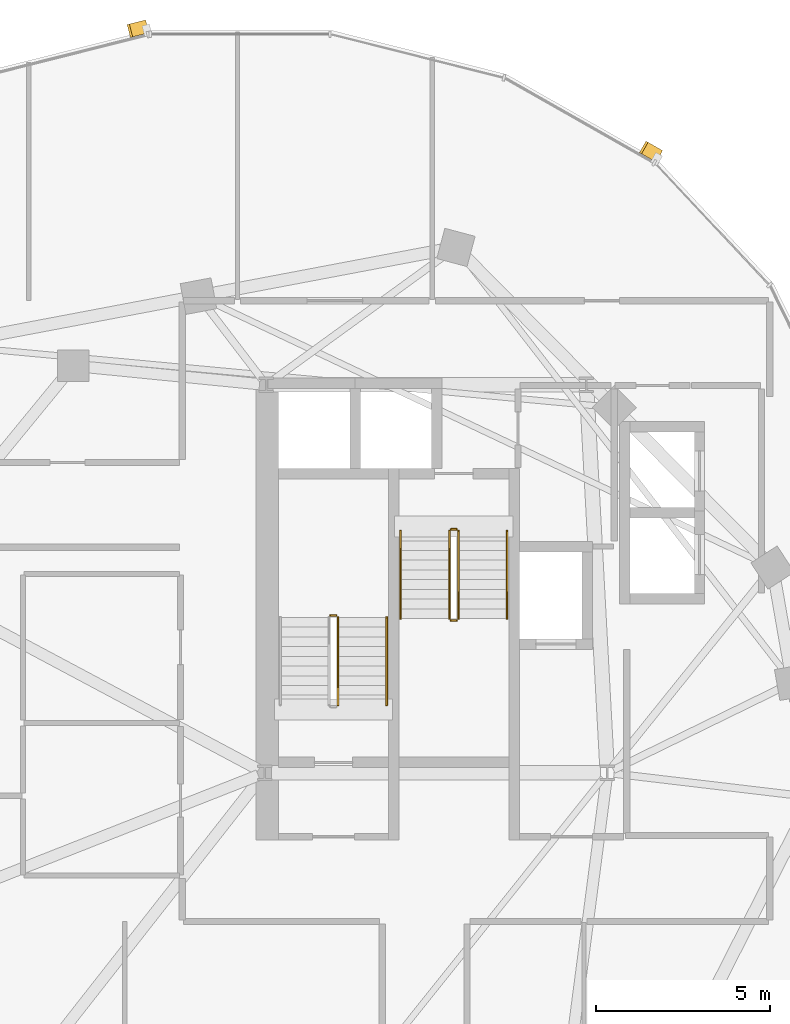
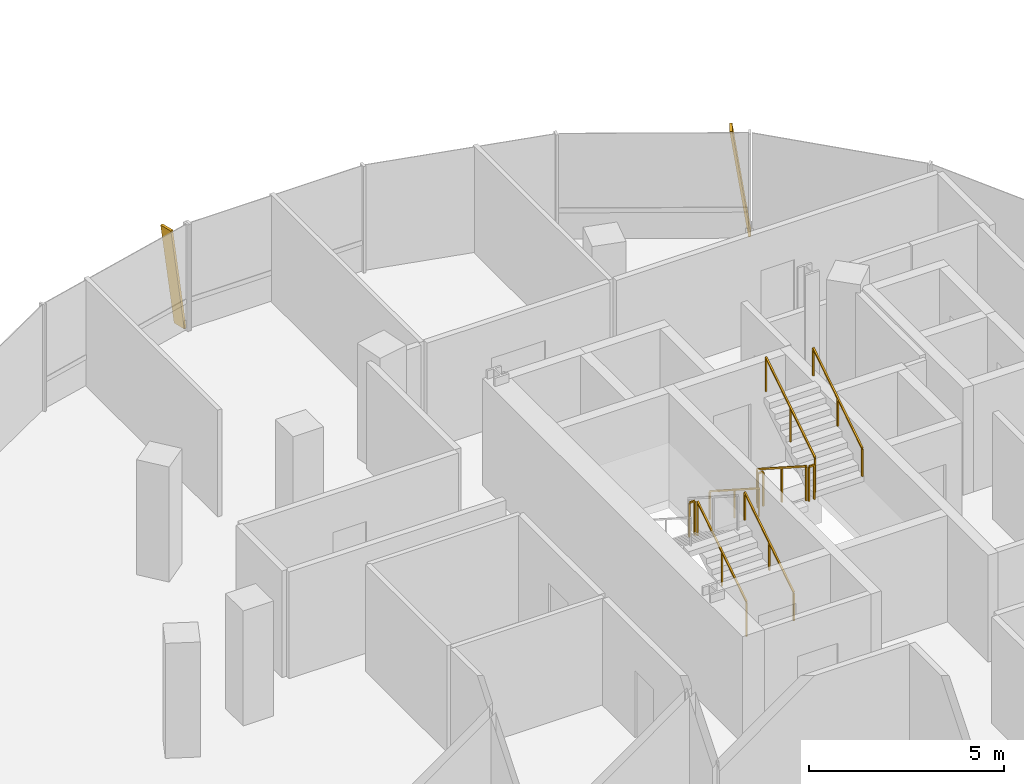
# One storey, part 23 of 25: 9 railings, 2 shading devices.
"""IFC4 building model written with IfcOpenShell, lengths in metres."""

from ifc_helpers import new_model, si_unit, direction, frame, origin, origin_2d, place, context, subcontext, project, spatial, rectangle, extrude, material, material_profile, profile_set, type_object, element, save


model = new_model("IFC4")

# Units and contexts
model_context = context("Model", 3, precision=1e-05, world=origin(), true_north=direction((0.0, 1.0)))
body_context = subcontext(model_context, "Body", "Model", "MODEL_VIEW")
ifc_project = project(units=[si_unit("LENGTHUNIT", "METRE"), si_unit("AREAUNIT", "SQUARE_METRE"), si_unit("VOLUMEUNIT", "CUBIC_METRE"), si_unit("PLANEANGLEUNIT", "RADIAN"), si_unit("MASSUNIT", "GRAM", prefix="KILO"), si_unit("THERMODYNAMICTEMPERATUREUNIT", "KELVIN"), si_unit("POWERUNIT", "WATT")], contexts=[model_context])

# Site, building, storey
site_placement = place(None, origin())
site = spatial("IfcSite", under=ifc_project, at=site_placement, CompositionType="ELEMENT")
building_placement = place(site_placement, origin())
building = spatial("IfcBuilding", under=site, at=building_placement, Name="Cundina Bronze Exchange", CompositionType="ELEMENT")
storey_placement = place(building_placement, frame((0.0, 0.0, 195.39990234375)))
storey = spatial("IfcBuildingStorey", under=building, at=storey_placement, Name="L51", CompositionType="ELEMENT", Elevation=195.39990234375)

# Railings
ifc_material_1 = material(Name="Steel ASTM A36 Painted", Category="steel")
railing_type_1 = type_object("IfcRailingType", Name="RLG-HND-900", PredefinedType="HANDRAIL", material=ifc_material_1)
railing_1_placement = place(storey_placement, frame((-27.7900390625, 5.85009765625, 0.18017578125)))
element("IfcRailing", 1, at=railing_1_placement, inside=storey, type_object=railing_type_1, Name="L51 ST-W1 stair handrail 1", PredefinedType="HANDRAIL", context=body_context, shape_type="SweptSolid", body=[
    extrude(rectangle(XDim=0.048095703125, YDim=0.048095703125, at=origin_2d()), frame((0.0, 0.0, 0.8759765625), z_axis=(0.0, 0.841199657755, 0.540724639528), x_axis=(-1.0, 0.0, 0.0)), (0.0, 0.0, 1.0), 2.995849609375),
    extrude(rectangle(XDim=0.0419921875, YDim=0.0419921875, at=origin_2d()), origin(), (0.0, 0.0, 1.0), 0.851806640625),
    extrude(rectangle(XDim=0.0419921875, YDim=0.0419921875, at=origin_2d()), frame((0.0, 1.260009765625, 0.81005859375)), (0.0, 0.0, 1.0), 0.851806640625),
    extrude(rectangle(XDim=0.0419921875, YDim=0.0419921875, at=origin_2d()), frame((0.0, 2.52001953125, 1.619873046875)), (0.0, 0.0, 1.0), 0.851806640625),
])
railing_2_placement = place(storey_placement, frame((-27.389892578125, 10.85009765625, 0.18017578125)))
element("IfcRailing", 2, at=railing_2_placement, inside=storey, type_object=railing_type_1, Name="L51 ST-W2 stair handrail 1", PredefinedType="HANDRAIL", context=body_context, shape_type="SweptSolid", body=[
    extrude(rectangle(XDim=0.048095703125, YDim=0.048095703125, at=origin_2d()), frame((0.0, 0.0, 0.8759765625), z_axis=(0.0, -0.841199657755, 0.540724639528), x_axis=(1.0, 0.0, 0.0)), (0.0, 0.0, 1.0), 2.995849609375),
    extrude(rectangle(XDim=0.0419921875, YDim=0.0419921875, at=origin_2d()), origin(), (0.0, 0.0, 1.0), 0.851806640625),
    extrude(rectangle(XDim=0.0419921875, YDim=0.0419921875, at=origin_2d()), frame((0.0, -1.260009765625, 0.81005859375)), (0.0, 0.0, 1.0), 0.851806640625),
    extrude(rectangle(XDim=0.0419921875, YDim=0.0419921875, at=origin_2d()), frame((0.0, -2.52001953125, 1.619873046875)), (0.0, 0.0, 1.0), 0.851806640625),
])
railing_3_placement = place(storey_placement, frame((-24.330078125, 8.330078125, 1.97998046875)))
element("IfcRailing", 3, at=railing_3_placement, inside=storey, type_object=railing_type_1, Name="L51 ST-W2 stair handrail 2", PredefinedType="HANDRAIL", context=body_context, shape_type="SweptSolid", body=[
    extrude(rectangle(XDim=0.048095703125, YDim=0.048095703125, at=origin_2d()), frame((0.0, 0.0, 0.8759765625), z_axis=(0.0, 0.841162588446, 0.540782303519), x_axis=(-1.0, 0.0, 0.0)), (0.0, 0.0, 1.0), 2.995849609375),
    extrude(rectangle(XDim=0.0419921875, YDim=0.0419921875, at=origin_2d()), origin(), (0.0, 0.0, 1.0), 0.851806640625),
    extrude(rectangle(XDim=0.0419921875, YDim=0.0419921875, at=origin_2d()), frame((0.0, 1.260009765625, 0.81005859375)), (0.0, 0.0, 1.0), 0.851806640625),
    extrude(rectangle(XDim=0.0419921875, YDim=0.0419921875, at=origin_2d()), frame((0.0, 2.52001953125, 1.6201171875)), (0.0, 0.0, 1.0), 0.851806640625),
])
railing_type_2 = type_object("IfcRailingType", Name="RLG-STG-1100", PredefinedType="GUARDRAIL", material=ifc_material_1)
railing_4_placement = place(storey_placement, frame((-29.18994140625, 5.85009765625, 0.18017578125)))
element("IfcRailing", 4, at=railing_4_placement, inside=storey, type_object=railing_type_2, Name="L51 ST-W1 stair guard 1", PredefinedType="GUARDRAIL", context=body_context, shape_type="SweptSolid", body=[
    extrude(rectangle(XDim=0.048095703125, YDim=0.048095703125, at=origin_2d()), frame((0.0, 0.0, 1.076171875), z_axis=(0.0, 0.841199657755, 0.540724639528), x_axis=(-1.0, 0.0, 0.0)), (0.0, 0.0, 1.0), 2.995849609375),
    extrude(rectangle(XDim=0.0419921875, YDim=0.0419921875, at=origin_2d()), origin(), (0.0, 0.0, 1.0), 1.052001953125),
    extrude(rectangle(XDim=0.0419921875, YDim=0.0419921875, at=origin_2d()), frame((0.0, 1.260009765625, 0.81005859375)), (0.0, 0.0, 1.0), 1.052001953125),
    extrude(rectangle(XDim=0.0419921875, YDim=0.0419921875, at=origin_2d()), frame((0.0, 2.52001953125, 1.619873046875)), (0.0, 0.0, 1.0), 1.052001953125),
])
railing_5_placement = place(storey_placement, frame((-29.239990234375, 8.419921875, 1.800048828125)))
element("IfcRailing", 5, at=railing_5_placement, inside=storey, type_object=railing_type_2, Name="L51 ST-W1 stair guard 2", PredefinedType="GUARDRAIL", context=body_context, shape_type="SweptSolid", body=[
    extrude(rectangle(XDim=0.048095703125, YDim=0.048095703125, at=origin_2d()), frame((0.0, 0.0, 1.076171875), z_axis=(-1.0, 0.0, 0.0), x_axis=(0.0, -1.0, 0.0)), (0.0, 0.0, 1.0), 0.159912109375),
    extrude(rectangle(XDim=0.0419921875, YDim=0.0419921875, at=origin_2d()), origin(), (0.0, 0.0, 1.0), 1.052001953125),
    extrude(rectangle(XDim=0.0419921875, YDim=0.0419921875, at=origin_2d()), frame((-0.159912109375, 0.0, 0.0)), (0.0, 0.0, 1.0), 1.052001953125),
])
railing_6_placement = place(storey_placement, frame((-25.989990234375, 10.85009765625, 0.18017578125)))
element("IfcRailing", 6, at=railing_6_placement, inside=storey, type_object=railing_type_2, Name="L51 ST-W2 stair guard 1", PredefinedType="GUARDRAIL", context=body_context, shape_type="SweptSolid", body=[
    extrude(rectangle(XDim=0.048095703125, YDim=0.048095703125, at=origin_2d()), frame((0.0, 0.0, 1.076171875), z_axis=(0.0, -0.841199657755, 0.540724639528), x_axis=(1.0, 0.0, 0.0)), (0.0, 0.0, 1.0), 2.995849609375),
    extrude(rectangle(XDim=0.0419921875, YDim=0.0419921875, at=origin_2d()), origin(), (0.0, 0.0, 1.0), 1.052001953125),
    extrude(rectangle(XDim=0.0419921875, YDim=0.0419921875, at=origin_2d()), frame((0.0, -1.260009765625, 0.81005859375)), (0.0, 0.0, 1.0), 1.052001953125),
    extrude(rectangle(XDim=0.0419921875, YDim=0.0419921875, at=origin_2d()), frame((0.0, -2.52001953125, 1.619873046875)), (0.0, 0.0, 1.0), 1.052001953125),
])
railing_7_placement = place(storey_placement, frame((-25.93994140625, 8.280029296875, 1.800048828125)))
element("IfcRailing", 7, at=railing_7_placement, inside=storey, type_object=railing_type_2, Name="L51 ST-W2 stair guard 2", PredefinedType="GUARDRAIL", context=body_context, shape_type="SweptSolid", body=[
    extrude(rectangle(XDim=0.048095703125, YDim=0.048095703125, at=origin_2d()), frame((0.0, 0.0, 1.076171875), z_axis=(1.0, 0.0, 0.0), x_axis=(0.0, 1.0, 0.0)), (0.0, 0.0, 1.0), 0.159912109375),
    extrude(rectangle(XDim=0.0419921875, YDim=0.0419921875, at=origin_2d()), origin(), (0.0, 0.0, 1.0), 1.052001953125),
    extrude(rectangle(XDim=0.0419921875, YDim=0.0419921875, at=origin_2d()), frame((0.159912109375, 0.0, 0.0)), (0.0, 0.0, 1.0), 1.052001953125),
])
railing_8_placement = place(storey_placement, frame((-25.72998046875, 8.330078125, 1.97998046875)))
element("IfcRailing", 8, at=railing_8_placement, inside=storey, type_object=railing_type_2, Name="L51 ST-W2 stair guard 3", PredefinedType="GUARDRAIL", context=body_context, shape_type="SweptSolid", body=[
    extrude(rectangle(XDim=0.048095703125, YDim=0.048095703125, at=origin_2d()), frame((0.0, 0.0, 1.076171875), z_axis=(0.0, 0.841162588446, 0.540782303519), x_axis=(-1.0, 0.0, 0.0)), (0.0, 0.0, 1.0), 2.995849609375),
    extrude(rectangle(XDim=0.0419921875, YDim=0.0419921875, at=origin_2d()), origin(), (0.0, 0.0, 1.0), 1.052001953125),
    extrude(rectangle(XDim=0.0419921875, YDim=0.0419921875, at=origin_2d()), frame((0.0, 1.260009765625, 0.81005859375)), (0.0, 0.0, 1.0), 1.052001953125),
    extrude(rectangle(XDim=0.0419921875, YDim=0.0419921875, at=origin_2d()), frame((0.0, 2.52001953125, 1.6201171875)), (0.0, 0.0, 1.0), 1.052001953125),
])
railing_9_placement = place(storey_placement, frame((-25.93994140625, 10.89990234375, 0.0)))
element("IfcRailing", 9, at=railing_9_placement, inside=storey, type_object=railing_type_2, Name="L51 ST-W2 stair guard 4", PredefinedType="GUARDRAIL", context=body_context, shape_type="SweptSolid", body=[
    extrude(rectangle(XDim=0.048095703125, YDim=0.048095703125, at=origin_2d()), frame((0.0, 0.0, 1.076171875), z_axis=(1.0, 0.0, 0.0), x_axis=(0.0, 1.0, 0.0)), (0.0, 0.0, 1.0), 0.159912109375),
    extrude(rectangle(XDim=0.0419921875, YDim=0.0419921875, at=origin_2d()), origin(), (0.0, 0.0, 1.0), 1.052001953125),
    extrude(rectangle(XDim=0.0419921875, YDim=0.0419921875, at=origin_2d()), frame((0.159912109375, 0.0, 0.0)), (0.0, 0.0, 1.0), 1.052001953125),
])

# Shading devices
ifc_material_2 = material(Name="Anodised Bronze Aluminium 6063-T6", Category="aluminium")
ifc_material_profile = material_profile(ifc_material_2, rectangle(XDim=0.070068359375, YDim=0.3798828125, at=origin_2d()), Name="FIN70X380", Category="aluminium")
ifc_profile_set = profile_set([ifc_material_profile], Name="Anodised Bronze Aluminium 6063-T6")
shading_device_type = type_object("IfcShadingDeviceType", Name="SHD-FIN-BRZ380", PredefinedType="USERDEFINED", material=ifc_profile_set)
for number, where, z_axis, x_axis, name in (
    (10, (-19.984375, 21.635498046875, 0.02001953125), (-0.125189514072, 0.071087145125, 0.989582843103), (0.860526986551, -0.488638423358, 0.143964567292), "L51 Diagonal Bronze Solar Fin 5"),
    (11, (-34.705810546875, 25.344482421875, 0.02001953125), (-0.139611891367, -0.03514090606, 0.989582556693), (0.959650042543, 0.24154799183, 0.143966536007), "L51 Diagonal Bronze Solar Fin 1"),
):
    element("IfcShadingDevice", number, at=place(storey_placement, frame(where, z_axis=z_axis, x_axis=x_axis)), inside=storey, type_object=shading_device_type, Name=name, ObjectType="FIN", PredefinedType="USERDEFINED", context=body_context, shape_type="SweptSolid", body=[
        extrude(rectangle(XDim=0.070068359375, YDim=0.3798828125, at=origin_2d()), origin(), (0.0, 0.0, 1.0), 3.334716796875),
    ])

save(model, "model.ifc")
